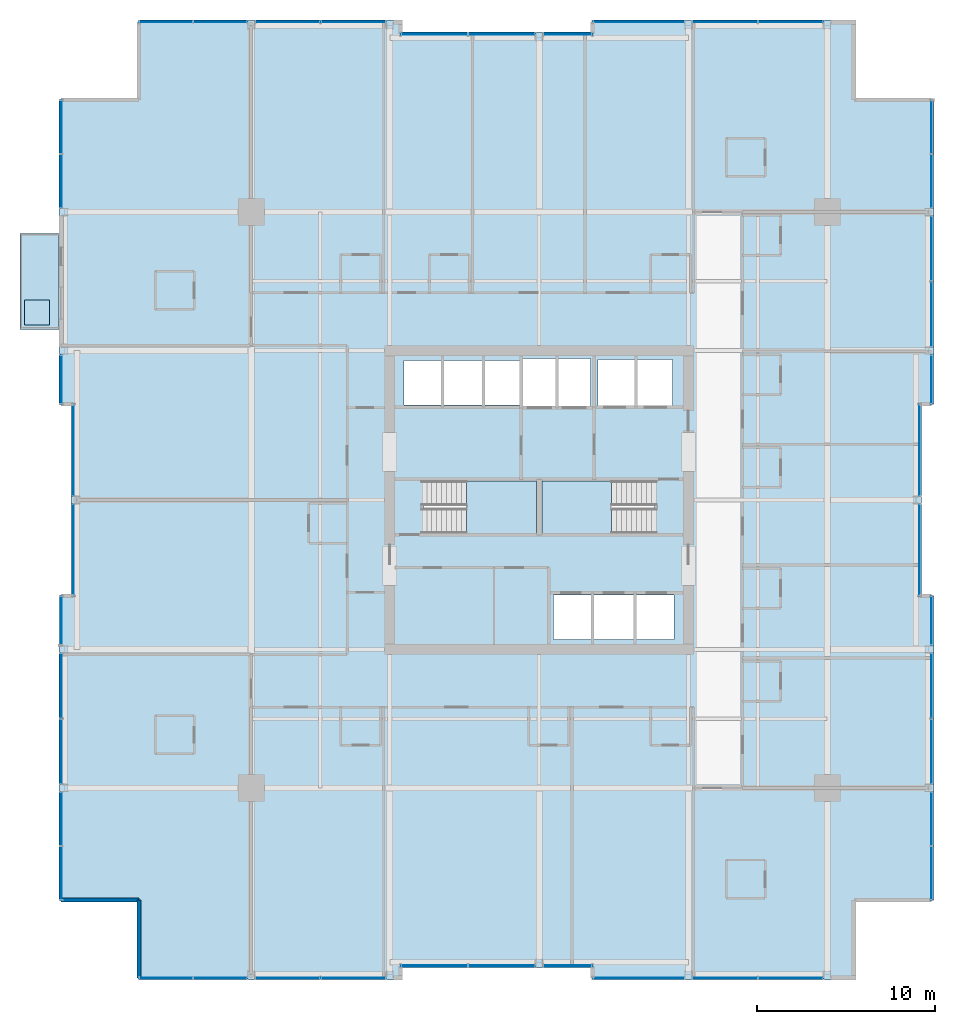
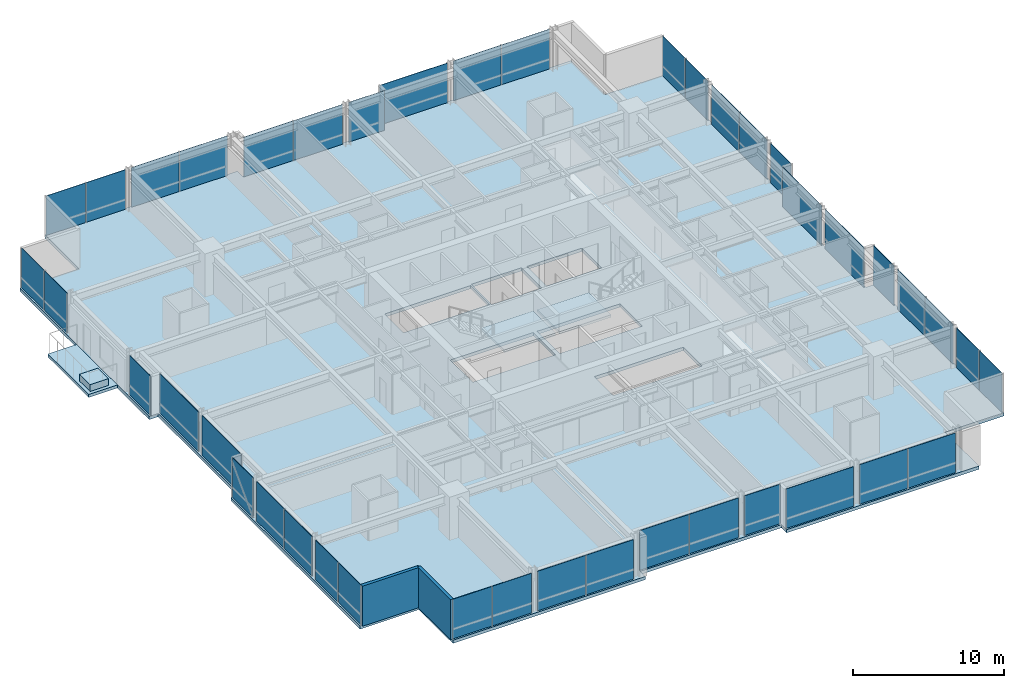
# One storey, part 27 of 34: 42 plates, 5 slabs, 2 walls, 29 elements without a shape of their own.
"""IFC4 building model written with IfcOpenShell, lengths in metres."""

from ifc_helpers import new_model, si_unit, direction, frame, frame_2d, origin, origin_2d, place, context, subcontext, project, spatial, polyline, rectangle, outline, extrude, material, layer, layer_set, type_object, element, aggregate, save


model = new_model("IFC4")

# Units and contexts
model_context = context("Model", 3, precision=1e-05, world=origin(), true_north=direction((0.0, 1.0)))
body_context = subcontext(model_context, "Body", "Model", "MODEL_VIEW")
ifc_project = project(units=[si_unit("LENGTHUNIT", "METRE"), si_unit("AREAUNIT", "SQUARE_METRE"), si_unit("VOLUMEUNIT", "CUBIC_METRE"), si_unit("PLANEANGLEUNIT", "RADIAN"), si_unit("MASSUNIT", "GRAM", prefix="KILO")], contexts=[model_context])

# Site, building, storey
site_placement = place(None, origin())
site = spatial("IfcSite", under=ifc_project, at=site_placement, CompositionType="ELEMENT")
building_placement = place(site_placement, origin())
building = spatial("IfcBuilding", under=site, at=building_placement, Name="Drelvath Grand Hotel", CompositionType="ELEMENT")
storey_placement = place(building_placement, frame((0.0, 0.0, 126.800048828125)))
storey = spatial("IfcBuildingStorey", under=building, at=storey_placement, Name="L32", CompositionType="ELEMENT", Elevation=126.800048828125)

# Slabs
ifc_material_1 = material(Name="Concrete f'c 40 MPa", Category="concrete")
ifc_layer_1 = layer(ifc_material_1, 0.239990234375)
ifc_layer_set_1 = layer_set([ifc_layer_1], Name="Concrete f'c 40 MPa")
slab_type_1 = type_object("IfcSlabType", Name="Cantilevered Tree Balcony Slab 240", PredefinedType="FLOOR", material=ifc_layer_set_1)
slab_1_placement = place(storey_placement, frame((0.0, 0.0, -0.239990234375)))
element("IfcSlab", 1, at=slab_1_placement, inside=storey, type_object=slab_type_1, Name="L32 Cantilevered Tree Balcony Slab 1", PredefinedType="FLOOR", context=body_context, shape_type="SweptSolid", body=[
    extrude(outline(polyline([(-29.199951171875, 36.60009765625), (-27.0, 36.60009765625), (-27.0, 42.0), (-29.199951171875, 42.0), (-29.199951171875, 36.60009765625)])), origin(), (0.0, 0.0, 1.0), 0.239990234375),
])
ifc_layer_2 = layer(ifc_material_1, 0.260009765625)
ifc_layer_set_2 = layer_set([ifc_layer_2], Name="Concrete f'c 40 MPa")
slab_type_2 = type_object("IfcSlabType", Name="Composite RC Floor Slab 260", PredefinedType="FLOOR", material=ifc_layer_set_2)
slab_2_placement = place(storey_placement, frame((0.0, 0.0, -0.260009765625)))
element("IfcSlab", 2, at=slab_2_placement, inside=storey, type_object=slab_type_2, Name="L32 Structural Floor Slab", PredefinedType="FLOOR", context=body_context, shape_type="SweptSolid", body=[
    extrude(outline(polyline([(-22.5, 0.0), (-7.800048828125, 0.0), (-7.800048828125, 0.679931640625), (3.0, 0.679931640625), (3.0, 0.0), (17.699951171875, 0.0), (17.699951171875, 4.5), (22.199951171875, 4.5), (22.199951171875, 21.60009765625), (21.52001953125, 21.60009765625), (21.52001953125, 32.39990234375), (22.199951171875, 32.39990234375), (22.199951171875, 49.5), (17.699951171875, 49.5), (17.699951171875, 54.0), (3.0, 54.0), (3.0, 53.320068359375), (-7.800048828125, 53.320068359375), (-7.800048828125, 54.0), (-22.5, 54.0), (-22.5, 49.5), (-27.0, 49.5), (-27.0, 32.39990234375), (-26.320068359375, 32.39990234375), (-26.320068359375, 21.60009765625), (-27.0, 21.60009765625), (-27.0, 4.5), (-22.5, 4.5), (-22.5, 0.0)]), holes=[polyline([(-6.47998046875, 25.1201171875), (-6.47998046875, 28.080078125), (-0.14990234375, 28.080078125), (-0.14990234375, 25.1201171875), (-6.47998046875, 25.1201171875)]), polyline([(0.14990234375, 25.1201171875), (0.14990234375, 28.080078125), (6.47998046875, 28.080078125), (6.47998046875, 25.1201171875), (0.14990234375, 25.1201171875)]), polyline([(0.800048828125, 19.14990234375), (0.800048828125, 21.64990234375), (7.60009765625, 21.64990234375), (7.60009765625, 19.14990234375), (0.800048828125, 19.14990234375)]), polyline([(-7.60009765625, 32.35009765625), (-7.60009765625, 34.85009765625), (-1.02001953125, 34.85009765625), (-1.02001953125, 32.35009765625), (-7.60009765625, 32.35009765625)]), polyline([(-0.89990234375, 32.25), (-0.89990234375, 34.949951171875), (2.89990234375, 34.949951171875), (2.89990234375, 32.25), (-0.89990234375, 32.25)]), polyline([(3.300048828125, 32.300048828125), (3.300048828125, 34.89990234375), (7.5, 34.89990234375), (7.5, 32.300048828125), (3.300048828125, 32.300048828125)])]), origin(), (0.0, 0.0, 1.0), 0.260009765625),
])

# Stair, slab
ifc_material_2 = material(Name="Concrete C40/50", Category="concrete")
stair_type = type_object("IfcStairType", Name="Dogleg Exit Stair W1400-R175.0", PredefinedType="HALF_TURN_STAIR", material=ifc_material_2)
stair_1_placement = place(storey_placement, origin())
stair_1 = element("IfcStair", 3, at=stair_1_placement, inside=storey, type_object=stair_type, Name="L32 Core Exit Stair ST-1", PredefinedType="HALF_TURN_STAIR")
ifc_layer_3 = layer(ifc_material_2, 0.199951171875)
ifc_layer_set_3 = layer_set([ifc_layer_3], Name="Concrete C40/50")
slab_type_3 = type_object("IfcSlabType", Name="Concrete Stair Landing Slab 200", PredefinedType="LANDING", material=ifc_layer_set_3)
slab_3_placement = place(storey_placement, frame((0.0, 0.0, 1.550048828125)))
slab_3 = element("IfcSlab", 4, at=slab_3_placement, type_object=slab_type_3, Name="ST-1 landing 1", PredefinedType="LANDING", context=body_context, shape_type="SweptSolid", body=[
    extrude(outline(polyline([(-4.080078125, 25.1201171875), (-0.14990234375, 25.1201171875), (-0.14990234375, 28.080078125), (-4.080078125, 28.080078125), (-4.080078125, 25.1201171875)])), origin(), (0.0, 0.0, 1.0), 0.199951171875),
])
aggregate(stair_1, [slab_3])

stair_2_placement = place(storey_placement, origin())
stair_2 = element("IfcStair", 5, at=stair_2_placement, inside=storey, type_object=stair_type, Name="L32 Core Exit Stair ST-2", PredefinedType="HALF_TURN_STAIR")
slab_4_placement = place(storey_placement, frame((0.0, 0.0, 1.550048828125)))
slab_4 = element("IfcSlab", 6, at=slab_4_placement, type_object=slab_type_3, Name="ST-2 landing 1", PredefinedType="LANDING", context=body_context, shape_type="SweptSolid", body=[
    extrude(outline(polyline([(4.080078125, 28.080078125), (0.14990234375, 28.080078125), (0.14990234375, 25.1201171875), (4.080078125, 25.1201171875), (4.080078125, 28.080078125)])), origin(), (0.0, 0.0, 1.0), 0.199951171875),
])
aggregate(stair_2, [slab_4])

# Curtain wall, plates
ifc_material_3 = material(Name="Champagne Bronze Anodised Aluminium Frame", Category="aluminium")
ifc_layer_4 = layer(ifc_material_3, 0.199951171875)
ifc_layer_set_4 = layer_set([ifc_layer_4], Name="Champagne Bronze Anodised Aluminium Frame")
curtain_wall_type = type_object("IfcCurtainWallType", Name="Stick Curtain Wall CW-03 Champagne Bronze Mid-Rise", PredefinedType="NOTDEFINED", material=ifc_layer_set_4)
curtain_wall_1_placement = place(storey_placement, origin())
curtain_wall_1 = element("IfcCurtainWall", 7, at=curtain_wall_1_placement, inside=storey, type_object=curtain_wall_type, Name="L32 CW-03 Curtain Wall CW03-L32-WS1", PredefinedType="NOTDEFINED")
ifc_material_4 = material(Name="Low-E Triple Silver Vision Glass Neutral", Category="glass")
ifc_layer_5 = layer(ifc_material_4, 0.035888671875)
ifc_layer_set_5 = layer_set([ifc_layer_5], Name="Low-E Triple Silver Vision Glass Neutral")
plate_type = type_object("IfcPlateType", Name="Curtain Wall Vision Panel CW-03 36mm", PredefinedType="CURTAIN_PANEL", material=ifc_layer_set_5)
plate_1_placement = place(storey_placement, frame((-26.8798828125, 6.022705078125, 0.02001953125), z_axis=(0.0, 0.0, 1.0), x_axis=(0.0, 1.0, 0.0)))
plate_1 = element("IfcPlate", 8, at=plate_1_placement, type_object=plate_type, Name="CW03-L32-WS1 Glazed Panel 1", PredefinedType="CURTAIN_PANEL", context=body_context, shape_type="SweptSolid", body=[
    extrude(rectangle(XDim=3.00537109375, YDim=0.035888671875, at=origin_2d()), origin(), (0.0, 0.0, 1.0), 3.199951171875),
])
plate_2_placement = place(storey_placement, frame((-26.8798828125, 9.06787109375, 0.02001953125), z_axis=(0.0, 0.0, 1.0), x_axis=(0.0, 1.0, 0.0)))
plate_2 = element("IfcPlate", 9, at=plate_2_placement, type_object=plate_type, Name="CW03-L32-WS1 Glazed Panel 2", PredefinedType="CURTAIN_PANEL", context=body_context, shape_type="SweptSolid", body=[
    extrude(rectangle(XDim=3.00537109375, YDim=0.035888671875, at=origin_2d()), origin(), (0.0, 0.0, 1.0), 3.199951171875),
])
aggregate(curtain_wall_1, [plate_1, plate_2])

curtain_wall_2_placement = place(storey_placement, origin())
curtain_wall_2 = element("IfcCurtainWall", 10, at=curtain_wall_2_placement, inside=storey, type_object=curtain_wall_type, Name="L32 CW-03 Curtain Wall CW03-L32-WS2", PredefinedType="NOTDEFINED")
plate_3_placement = place(storey_placement, frame((-26.8798828125, 12.854736328125, 0.02001953125), z_axis=(0.0, 0.0, 1.0), x_axis=(0.0, 1.0, 0.0)))
plate_3 = element("IfcPlate", 11, at=plate_3_placement, type_object=plate_type, Name="CW03-L32-WS2 Glazed Panel 1", PredefinedType="CURTAIN_PANEL", context=body_context, shape_type="SweptSolid", body=[
    extrude(rectangle(XDim=3.650634765625, YDim=0.035888671875, at=origin_2d()), origin(), (0.0, 0.0, 1.0), 3.199951171875),
])
plate_4_placement = place(storey_placement, frame((-26.8798828125, 16.54541015625, 0.02001953125), z_axis=(0.0, 0.0, 1.0), x_axis=(0.0, 1.0, 0.0)))
plate_4 = element("IfcPlate", 12, at=plate_4_placement, type_object=plate_type, Name="CW03-L32-WS2 Glazed Panel 2", PredefinedType="CURTAIN_PANEL", context=body_context, shape_type="SweptSolid", body=[
    extrude(rectangle(XDim=3.650634765625, YDim=0.035888671875, at=origin_2d()), origin(), (0.0, 0.0, 1.0), 3.199951171875),
])
aggregate(curtain_wall_2, [plate_3, plate_4])

# Curtain wall, plate
curtain_wall_3_placement = place(storey_placement, origin())
curtain_wall_3 = element("IfcCurtainWall", 13, at=curtain_wall_3_placement, inside=storey, type_object=curtain_wall_type, Name="L32 CW-03 Curtain Wall CW03-L32-WS3", PredefinedType="NOTDEFINED")
plate_5_placement = place(storey_placement, frame((-26.8798828125, 20.20458984375, 0.02001953125), z_axis=(0.0, 0.0, 1.0), x_axis=(0.0, 1.0, 0.0)))
plate_5 = element("IfcPlate", 14, at=plate_5_placement, type_object=plate_type, Name="CW03-L32-WS3 Glazed Panel 1", PredefinedType="CURTAIN_PANEL", context=body_context, shape_type="SweptSolid", body=[
    extrude(rectangle(XDim=2.75048828125, YDim=0.035888671875, at=origin_2d()), origin(), (0.0, 0.0, 1.0), 3.199951171875),
])
aggregate(curtain_wall_3, [plate_5])

curtain_wall_4_placement = place(storey_placement, origin())
curtain_wall_4 = element("IfcCurtainWall", 15, at=curtain_wall_4_placement, inside=storey, type_object=curtain_wall_type, Name="L32 CW-03 Curtain Wall CW03-L32-WM1", PredefinedType="NOTDEFINED")
plate_6_placement = place(storey_placement, frame((-26.199951171875, 24.1953125, 0.02001953125), z_axis=(0.0, 0.0, 1.0), x_axis=(0.0, 1.0, 0.0)))
plate_6 = element("IfcPlate", 16, at=plate_6_placement, type_object=plate_type, Name="CW03-L32-WM1 Glazed Panel 1", PredefinedType="CURTAIN_PANEL", context=body_context, shape_type="SweptSolid", body=[
    extrude(rectangle(XDim=5.150634765625, YDim=0.035888671875, at=origin_2d()), origin(), (0.0, 0.0, 1.0), 3.199951171875),
])
aggregate(curtain_wall_4, [plate_6])

curtain_wall_5_placement = place(storey_placement, origin())
curtain_wall_5 = element("IfcCurtainWall", 17, at=curtain_wall_5_placement, inside=storey, type_object=curtain_wall_type, Name="L32 CW-03 Curtain Wall CW03-L32-WM2", PredefinedType="NOTDEFINED")
plate_7_placement = place(storey_placement, frame((-26.199951171875, 29.8046875, 0.02001953125), z_axis=(0.0, 0.0, 1.0), x_axis=(0.0, 1.0, 0.0)))
plate_7 = element("IfcPlate", 18, at=plate_7_placement, type_object=plate_type, Name="CW03-L32-WM2 Glazed Panel 1", PredefinedType="CURTAIN_PANEL", context=body_context, shape_type="SweptSolid", body=[
    extrude(rectangle(XDim=5.150634765625, YDim=0.035888671875, at=origin_2d()), origin(), (0.0, 0.0, 1.0), 3.199951171875),
])
aggregate(curtain_wall_5, [plate_7])

curtain_wall_6_placement = place(storey_placement, origin())
curtain_wall_6 = element("IfcCurtainWall", 19, at=curtain_wall_6_placement, inside=storey, type_object=curtain_wall_type, Name="L32 CW-03 Curtain Wall CW03-L32-WN1", PredefinedType="NOTDEFINED")
plate_8_placement = place(storey_placement, frame((-26.8798828125, 33.79541015625, 0.02001953125), z_axis=(0.0, 0.0, 1.0), x_axis=(0.0, 1.0, 0.0)))
plate_8 = element("IfcPlate", 20, at=plate_8_placement, type_object=plate_type, Name="CW03-L32-WN1 Glazed Panel 1", PredefinedType="CURTAIN_PANEL", context=body_context, shape_type="SweptSolid", body=[
    extrude(rectangle(XDim=2.75048828125, YDim=0.035888671875, at=origin_2d()), origin(), (0.0, 0.0, 1.0), 3.199951171875),
])
aggregate(curtain_wall_6, [plate_8])

# Curtain wall, plates
curtain_wall_7_placement = place(storey_placement, origin())
curtain_wall_7 = element("IfcCurtainWall", 21, at=curtain_wall_7_placement, inside=storey, type_object=curtain_wall_type, Name="L32 CW-03 Curtain Wall CW03-L32-WN3", PredefinedType="NOTDEFINED")
plate_9_placement = place(storey_placement, frame((-26.8798828125, 44.93212890625, 0.02001953125), z_axis=(0.0, 0.0, 1.0), x_axis=(0.0, 1.0, 0.0)))
plate_9 = element("IfcPlate", 22, at=plate_9_placement, type_object=plate_type, Name="CW03-L32-WN3 Glazed Panel 1", PredefinedType="CURTAIN_PANEL", context=body_context, shape_type="SweptSolid", body=[
    extrude(rectangle(XDim=3.00537109375, YDim=0.035888671875, at=origin_2d()), origin(), (0.0, 0.0, 1.0), 3.199951171875),
])
plate_10_placement = place(storey_placement, frame((-26.8798828125, 47.977294921875, 0.02001953125), z_axis=(0.0, 0.0, 1.0), x_axis=(0.0, 1.0, 0.0)))
plate_10 = element("IfcPlate", 23, at=plate_10_placement, type_object=plate_type, Name="CW03-L32-WN3 Glazed Panel 2", PredefinedType="CURTAIN_PANEL", context=body_context, shape_type="SweptSolid", body=[
    extrude(rectangle(XDim=3.00537109375, YDim=0.035888671875, at=origin_2d()), origin(), (0.0, 0.0, 1.0), 3.199951171875),
])
aggregate(curtain_wall_7, [plate_9, plate_10])

# Curtain wall, plate
curtain_wall_8_placement = place(storey_placement, origin())
curtain_wall_8 = element("IfcCurtainWall", 24, at=curtain_wall_8_placement, inside=storey, type_object=curtain_wall_type, Name="L32 CW-03 Curtain Wall CW03-L32-EN1", PredefinedType="NOTDEFINED")
plate_11_placement = place(storey_placement, frame((22.080078125, 33.79541015625, 0.02001953125), z_axis=(0.0, 0.0, 1.0), x_axis=(0.0, -1.0, 0.0)))
plate_11 = element("IfcPlate", 25, at=plate_11_placement, type_object=plate_type, Name="CW03-L32-EN1 Glazed Panel 1", PredefinedType="CURTAIN_PANEL", context=body_context, shape_type="SweptSolid", body=[
    extrude(rectangle(XDim=2.75048828125, YDim=0.035888671875, at=origin_2d()), origin(), (0.0, 0.0, 1.0), 3.199951171875),
])
aggregate(curtain_wall_8, [plate_11])

# Curtain wall, plates
curtain_wall_9_placement = place(storey_placement, origin())
curtain_wall_9 = element("IfcCurtainWall", 26, at=curtain_wall_9_placement, inside=storey, type_object=curtain_wall_type, Name="L32 CW-03 Curtain Wall CW03-L32-EN2", PredefinedType="NOTDEFINED")
plate_12_placement = place(storey_placement, frame((22.080078125, 41.145263671875, 0.02001953125), z_axis=(0.0, 0.0, 1.0), x_axis=(0.0, -1.0, 0.0)))
plate_12 = element("IfcPlate", 27, at=plate_12_placement, type_object=plate_type, Name="CW03-L32-EN2 Glazed Panel 1", PredefinedType="CURTAIN_PANEL", context=body_context, shape_type="SweptSolid", body=[
    extrude(rectangle(XDim=3.650634765625, YDim=0.035888671875, at=origin_2d()), origin(), (0.0, 0.0, 1.0), 3.199951171875),
])
plate_13_placement = place(storey_placement, frame((22.080078125, 37.45458984375, 0.02001953125), z_axis=(0.0, 0.0, 1.0), x_axis=(0.0, -1.0, 0.0)))
plate_13 = element("IfcPlate", 28, at=plate_13_placement, type_object=plate_type, Name="CW03-L32-EN2 Glazed Panel 2", PredefinedType="CURTAIN_PANEL", context=body_context, shape_type="SweptSolid", body=[
    extrude(rectangle(XDim=3.650634765625, YDim=0.035888671875, at=origin_2d()), origin(), (0.0, 0.0, 1.0), 3.199951171875),
])
aggregate(curtain_wall_9, [plate_12, plate_13])

curtain_wall_10_placement = place(storey_placement, origin())
curtain_wall_10 = element("IfcCurtainWall", 29, at=curtain_wall_10_placement, inside=storey, type_object=curtain_wall_type, Name="L32 CW-03 Curtain Wall CW03-L32-EN3", PredefinedType="NOTDEFINED")
plate_14_placement = place(storey_placement, frame((22.080078125, 47.977294921875, 0.02001953125), z_axis=(0.0, 0.0, 1.0), x_axis=(0.0, -1.0, 0.0)))
plate_14 = element("IfcPlate", 30, at=plate_14_placement, type_object=plate_type, Name="CW03-L32-EN3 Glazed Panel 1", PredefinedType="CURTAIN_PANEL", context=body_context, shape_type="SweptSolid", body=[
    extrude(rectangle(XDim=3.00537109375, YDim=0.035888671875, at=origin_2d()), origin(), (0.0, 0.0, 1.0), 3.199951171875),
])
plate_15_placement = place(storey_placement, frame((22.080078125, 44.93212890625, 0.02001953125), z_axis=(0.0, 0.0, 1.0), x_axis=(0.0, -1.0, 0.0)))
plate_15 = element("IfcPlate", 31, at=plate_15_placement, type_object=plate_type, Name="CW03-L32-EN3 Glazed Panel 2", PredefinedType="CURTAIN_PANEL", context=body_context, shape_type="SweptSolid", body=[
    extrude(rectangle(XDim=3.00537109375, YDim=0.035888671875, at=origin_2d()), origin(), (0.0, 0.0, 1.0), 3.199951171875),
])
aggregate(curtain_wall_10, [plate_14, plate_15])

# Curtain wall, plate
curtain_wall_11_placement = place(storey_placement, origin())
curtain_wall_11 = element("IfcCurtainWall", 32, at=curtain_wall_11_placement, inside=storey, type_object=curtain_wall_type, Name="L32 CW-03 Curtain Wall CW03-L32-EM1", PredefinedType="NOTDEFINED")
plate_16_placement = place(storey_placement, frame((21.39990234375, 24.1953125, 0.02001953125), z_axis=(0.0, 0.0, 1.0), x_axis=(0.0, -1.0, 0.0)))
plate_16 = element("IfcPlate", 33, at=plate_16_placement, type_object=plate_type, Name="CW03-L32-EM1 Glazed Panel 1", PredefinedType="CURTAIN_PANEL", context=body_context, shape_type="SweptSolid", body=[
    extrude(rectangle(XDim=5.150634765625, YDim=0.035888671875, at=origin_2d()), origin(), (0.0, 0.0, 1.0), 3.199951171875),
])
aggregate(curtain_wall_11, [plate_16])

curtain_wall_12_placement = place(storey_placement, origin())
curtain_wall_12 = element("IfcCurtainWall", 34, at=curtain_wall_12_placement, inside=storey, type_object=curtain_wall_type, Name="L32 CW-03 Curtain Wall CW03-L32-EM2", PredefinedType="NOTDEFINED")
plate_17_placement = place(storey_placement, frame((21.39990234375, 29.8046875, 0.02001953125), z_axis=(0.0, 0.0, 1.0), x_axis=(0.0, -1.0, 0.0)))
plate_17 = element("IfcPlate", 35, at=plate_17_placement, type_object=plate_type, Name="CW03-L32-EM2 Glazed Panel 1", PredefinedType="CURTAIN_PANEL", context=body_context, shape_type="SweptSolid", body=[
    extrude(rectangle(XDim=5.150634765625, YDim=0.035888671875, at=origin_2d()), origin(), (0.0, 0.0, 1.0), 3.199951171875),
])
aggregate(curtain_wall_12, [plate_17])

# Curtain wall, plates
curtain_wall_13_placement = place(storey_placement, origin())
curtain_wall_13 = element("IfcCurtainWall", 36, at=curtain_wall_13_placement, inside=storey, type_object=curtain_wall_type, Name="L32 CW-03 Curtain Wall CW03-L32-ES1", PredefinedType="NOTDEFINED")
plate_18_placement = place(storey_placement, frame((22.080078125, 9.06787109375, 0.02001953125), z_axis=(0.0, 0.0, 1.0), x_axis=(0.0, -1.0, 0.0)))
plate_18 = element("IfcPlate", 37, at=plate_18_placement, type_object=plate_type, Name="CW03-L32-ES1 Glazed Panel 1", PredefinedType="CURTAIN_PANEL", context=body_context, shape_type="SweptSolid", body=[
    extrude(rectangle(XDim=3.00537109375, YDim=0.035888671875, at=origin_2d()), origin(), (0.0, 0.0, 1.0), 3.199951171875),
])
plate_19_placement = place(storey_placement, frame((22.080078125, 6.022705078125, 0.02001953125), z_axis=(0.0, 0.0, 1.0), x_axis=(0.0, -1.0, 0.0)))
plate_19 = element("IfcPlate", 38, at=plate_19_placement, type_object=plate_type, Name="CW03-L32-ES1 Glazed Panel 2", PredefinedType="CURTAIN_PANEL", context=body_context, shape_type="SweptSolid", body=[
    extrude(rectangle(XDim=3.00537109375, YDim=0.035888671875, at=origin_2d()), origin(), (0.0, 0.0, 1.0), 3.199951171875),
])
aggregate(curtain_wall_13, [plate_18, plate_19])

curtain_wall_14_placement = place(storey_placement, origin())
curtain_wall_14 = element("IfcCurtainWall", 39, at=curtain_wall_14_placement, inside=storey, type_object=curtain_wall_type, Name="L32 CW-03 Curtain Wall CW03-L32-ES2", PredefinedType="NOTDEFINED")
plate_20_placement = place(storey_placement, frame((22.080078125, 16.54541015625, 0.02001953125), z_axis=(0.0, 0.0, 1.0), x_axis=(0.0, -1.0, 0.0)))
plate_20 = element("IfcPlate", 40, at=plate_20_placement, type_object=plate_type, Name="CW03-L32-ES2 Glazed Panel 1", PredefinedType="CURTAIN_PANEL", context=body_context, shape_type="SweptSolid", body=[
    extrude(rectangle(XDim=3.650634765625, YDim=0.035888671875, at=origin_2d()), origin(), (0.0, 0.0, 1.0), 3.199951171875),
])
plate_21_placement = place(storey_placement, frame((22.080078125, 12.854736328125, 0.02001953125), z_axis=(0.0, 0.0, 1.0), x_axis=(0.0, -1.0, 0.0)))
plate_21 = element("IfcPlate", 41, at=plate_21_placement, type_object=plate_type, Name="CW03-L32-ES2 Glazed Panel 2", PredefinedType="CURTAIN_PANEL", context=body_context, shape_type="SweptSolid", body=[
    extrude(rectangle(XDim=3.650634765625, YDim=0.035888671875, at=origin_2d()), origin(), (0.0, 0.0, 1.0), 3.199951171875),
])
aggregate(curtain_wall_14, [plate_20, plate_21])

# Curtain wall, plate
curtain_wall_15_placement = place(storey_placement, origin())
curtain_wall_15 = element("IfcCurtainWall", 42, at=curtain_wall_15_placement, inside=storey, type_object=curtain_wall_type, Name="L32 CW-03 Curtain Wall CW03-L32-ES3", PredefinedType="NOTDEFINED")
plate_22_placement = place(storey_placement, frame((22.080078125, 20.20458984375, 0.02001953125), z_axis=(0.0, 0.0, 1.0), x_axis=(0.0, -1.0, 0.0)))
plate_22 = element("IfcPlate", 43, at=plate_22_placement, type_object=plate_type, Name="CW03-L32-ES3 Glazed Panel 1", PredefinedType="CURTAIN_PANEL", context=body_context, shape_type="SweptSolid", body=[
    extrude(rectangle(XDim=2.75048828125, YDim=0.035888671875, at=origin_2d()), origin(), (0.0, 0.0, 1.0), 3.199951171875),
])
aggregate(curtain_wall_15, [plate_22])

# Curtain wall, plates
curtain_wall_16_placement = place(storey_placement, origin())
curtain_wall_16 = element("IfcCurtainWall", 44, at=curtain_wall_16_placement, inside=storey, type_object=curtain_wall_type, Name="L32 CW-03 Curtain Wall CW03-L32-NW1", PredefinedType="NOTDEFINED")
plate_23_placement = place(storey_placement, frame((-20.977294921875, 53.8798828125, 0.02001953125), z_axis=(0.0, 0.0, 1.0), x_axis=(1.0, 0.0, 0.0)))
plate_23 = element("IfcPlate", 45, at=plate_23_placement, type_object=plate_type, Name="CW03-L32-NW1 Glazed Panel 1", PredefinedType="CURTAIN_PANEL", context=body_context, shape_type="SweptSolid", body=[
    extrude(rectangle(XDim=3.00537109375, YDim=0.035888671875, at=origin_2d()), origin(), (0.0, 0.0, 1.0), 3.199951171875),
])
plate_24_placement = place(storey_placement, frame((-17.93212890625, 53.8798828125, 0.02001953125), z_axis=(0.0, 0.0, 1.0), x_axis=(1.0, 0.0, 0.0)))
plate_24 = element("IfcPlate", 46, at=plate_24_placement, type_object=plate_type, Name="CW03-L32-NW1 Glazed Panel 2", PredefinedType="CURTAIN_PANEL", context=body_context, shape_type="SweptSolid", body=[
    extrude(rectangle(XDim=3.00537109375, YDim=0.035888671875, at=origin_2d()), origin(), (0.0, 0.0, 1.0), 3.199951171875),
])
aggregate(curtain_wall_16, [plate_23, plate_24])

curtain_wall_17_placement = place(storey_placement, origin())
curtain_wall_17 = element("IfcCurtainWall", 47, at=curtain_wall_17_placement, inside=storey, type_object=curtain_wall_type, Name="L32 CW-03 Curtain Wall CW03-L32-NW2", PredefinedType="NOTDEFINED")
plate_25_placement = place(storey_placement, frame((-14.145263671875, 53.8798828125, 0.02001953125), z_axis=(0.0, 0.0, 1.0), x_axis=(1.0, 0.0, 0.0)))
plate_25 = element("IfcPlate", 48, at=plate_25_placement, type_object=plate_type, Name="CW03-L32-NW2 Glazed Panel 1", PredefinedType="CURTAIN_PANEL", context=body_context, shape_type="SweptSolid", body=[
    extrude(rectangle(XDim=3.650634765625, YDim=0.035888671875, at=origin_2d()), origin(), (0.0, 0.0, 1.0), 3.199951171875),
])
plate_26_placement = place(storey_placement, frame((-10.45458984375, 53.8798828125, 0.02001953125), z_axis=(0.0, 0.0, 1.0), x_axis=(1.0, 0.0, 0.0)))
plate_26 = element("IfcPlate", 49, at=plate_26_placement, type_object=plate_type, Name="CW03-L32-NW2 Glazed Panel 2", PredefinedType="CURTAIN_PANEL", context=body_context, shape_type="SweptSolid", body=[
    extrude(rectangle(XDim=3.650634765625, YDim=0.035888671875, at=origin_2d()), origin(), (0.0, 0.0, 1.0), 3.199951171875),
])
aggregate(curtain_wall_17, [plate_25, plate_26])

curtain_wall_18_placement = place(storey_placement, origin())
curtain_wall_18 = element("IfcCurtainWall", 50, at=curtain_wall_18_placement, inside=storey, type_object=curtain_wall_type, Name="L32 CW-03 Curtain Wall CW03-L32-NM1", PredefinedType="NOTDEFINED")
plate_27_placement = place(storey_placement, frame((-5.90234375, 53.199951171875, 0.02001953125), z_axis=(0.0, 0.0, 1.0), x_axis=(1.0, 0.0, 0.0)))
plate_27 = element("IfcPlate", 51, at=plate_27_placement, type_object=plate_type, Name="CW03-L32-NM1 Glazed Panel 1", PredefinedType="CURTAIN_PANEL", context=body_context, shape_type="SweptSolid", body=[
    extrude(rectangle(XDim=3.75537109375, YDim=0.035888671875, at=origin_2d()), origin(), (0.0, 0.0, 1.0), 3.199951171875),
])
plate_28_placement = place(storey_placement, frame((-2.107177734375, 53.199951171875, 0.02001953125), z_axis=(0.0, 0.0, 1.0), x_axis=(1.0, 0.0, 0.0)))
plate_28 = element("IfcPlate", 52, at=plate_28_placement, type_object=plate_type, Name="CW03-L32-NM1 Glazed Panel 2", PredefinedType="CURTAIN_PANEL", context=body_context, shape_type="SweptSolid", body=[
    extrude(rectangle(XDim=3.75537109375, YDim=0.035888671875, at=origin_2d()), origin(), (0.0, 0.0, 1.0), 3.199951171875),
])
aggregate(curtain_wall_18, [plate_27, plate_28])

# Curtain wall, plate
curtain_wall_19_placement = place(storey_placement, origin())
curtain_wall_19 = element("IfcCurtainWall", 53, at=curtain_wall_19_placement, inside=storey, type_object=curtain_wall_type, Name="L32 CW-03 Curtain Wall CW03-L32-NM2", PredefinedType="NOTDEFINED")
plate_29_placement = place(storey_placement, frame((1.604736328125, 53.199951171875, 0.02001953125), z_axis=(0.0, 0.0, 1.0), x_axis=(1.0, 0.0, 0.0)))
plate_29 = element("IfcPlate", 54, at=plate_29_placement, type_object=plate_type, Name="CW03-L32-NM2 Glazed Panel 1", PredefinedType="CURTAIN_PANEL", context=body_context, shape_type="SweptSolid", body=[
    extrude(rectangle(XDim=2.75048828125, YDim=0.035888671875, at=origin_2d()), origin(), (0.0, 0.0, 1.0), 3.199951171875),
])
aggregate(curtain_wall_19, [plate_29])

curtain_wall_20_placement = place(storey_placement, origin())
curtain_wall_20 = element("IfcCurtainWall", 55, at=curtain_wall_20_placement, inside=storey, type_object=curtain_wall_type, Name="L32 CW-03 Curtain Wall CW03-L32-NE1", PredefinedType="NOTDEFINED")
plate_30_placement = place(storey_placement, frame((5.59521484375, 53.8798828125, 0.02001953125), z_axis=(0.0, 0.0, 1.0), x_axis=(1.0, 0.0, 0.0)))
plate_30 = element("IfcPlate", 56, at=plate_30_placement, type_object=plate_type, Name="CW03-L32-NE1 Glazed Panel 1", PredefinedType="CURTAIN_PANEL", context=body_context, shape_type="SweptSolid", body=[
    extrude(rectangle(XDim=5.150634765625, YDim=0.035888671875, at=origin_2d()), origin(), (0.0, 0.0, 1.0), 3.199951171875),
])
aggregate(curtain_wall_20, [plate_30])

# Curtain wall, plates
curtain_wall_21_placement = place(storey_placement, origin())
curtain_wall_21 = element("IfcCurtainWall", 57, at=curtain_wall_21_placement, inside=storey, type_object=curtain_wall_type, Name="L32 CW-03 Curtain Wall CW03-L32-NE2", PredefinedType="NOTDEFINED")
plate_31_placement = place(storey_placement, frame((10.45458984375, 53.8798828125, 0.02001953125), z_axis=(0.0, 0.0, 1.0), x_axis=(1.0, 0.0, 0.0)))
plate_31 = element("IfcPlate", 58, at=plate_31_placement, type_object=plate_type, Name="CW03-L32-NE2 Glazed Panel 1", PredefinedType="CURTAIN_PANEL", context=body_context, shape_type="SweptSolid", body=[
    extrude(rectangle(XDim=3.650634765625, YDim=0.035888671875, at=origin_2d()), origin(), (0.0, 0.0, 1.0), 3.199951171875),
])
plate_32_placement = place(storey_placement, frame((14.145263671875, 53.8798828125, 0.02001953125), z_axis=(0.0, 0.0, 1.0), x_axis=(1.0, 0.0, 0.0)))
plate_32 = element("IfcPlate", 59, at=plate_32_placement, type_object=plate_type, Name="CW03-L32-NE2 Glazed Panel 2", PredefinedType="CURTAIN_PANEL", context=body_context, shape_type="SweptSolid", body=[
    extrude(rectangle(XDim=3.650634765625, YDim=0.035888671875, at=origin_2d()), origin(), (0.0, 0.0, 1.0), 3.199951171875),
])
aggregate(curtain_wall_21, [plate_31, plate_32])

# Curtain wall, plate
curtain_wall_22_placement = place(storey_placement, origin())
curtain_wall_22 = element("IfcCurtainWall", 60, at=curtain_wall_22_placement, inside=storey, type_object=curtain_wall_type, Name="L32 CW-03 Curtain Wall CW03-L32-SE1", PredefinedType="NOTDEFINED")
plate_33_placement = place(storey_placement, frame((5.59521484375, 0.1201171875, 0.02001953125), z_axis=(0.0, 0.0, 1.0), x_axis=(-1.0, 0.0, 0.0)))
plate_33 = element("IfcPlate", 61, at=plate_33_placement, type_object=plate_type, Name="CW03-L32-SE1 Glazed Panel 1", PredefinedType="CURTAIN_PANEL", context=body_context, shape_type="SweptSolid", body=[
    extrude(rectangle(XDim=5.150634765625, YDim=0.035888671875, at=origin_2d()), origin(), (0.0, 0.0, 1.0), 3.199951171875),
])
aggregate(curtain_wall_22, [plate_33])

# Curtain wall, plates
curtain_wall_23_placement = place(storey_placement, origin())
curtain_wall_23 = element("IfcCurtainWall", 62, at=curtain_wall_23_placement, inside=storey, type_object=curtain_wall_type, Name="L32 CW-03 Curtain Wall CW03-L32-SE2", PredefinedType="NOTDEFINED")
plate_34_placement = place(storey_placement, frame((14.145263671875, 0.1201171875, 0.02001953125), z_axis=(0.0, 0.0, 1.0), x_axis=(-1.0, 0.0, 0.0)))
plate_34 = element("IfcPlate", 63, at=plate_34_placement, type_object=plate_type, Name="CW03-L32-SE2 Glazed Panel 1", PredefinedType="CURTAIN_PANEL", context=body_context, shape_type="SweptSolid", body=[
    extrude(rectangle(XDim=3.650634765625, YDim=0.035888671875, at=origin_2d()), origin(), (0.0, 0.0, 1.0), 3.199951171875),
])
plate_35_placement = place(storey_placement, frame((10.45458984375, 0.1201171875, 0.02001953125), z_axis=(0.0, 0.0, 1.0), x_axis=(-1.0, 0.0, 0.0)))
plate_35 = element("IfcPlate", 64, at=plate_35_placement, type_object=plate_type, Name="CW03-L32-SE2 Glazed Panel 2", PredefinedType="CURTAIN_PANEL", context=body_context, shape_type="SweptSolid", body=[
    extrude(rectangle(XDim=3.650634765625, YDim=0.035888671875, at=origin_2d()), origin(), (0.0, 0.0, 1.0), 3.199951171875),
])
aggregate(curtain_wall_23, [plate_34, plate_35])

curtain_wall_24_placement = place(storey_placement, origin())
curtain_wall_24 = element("IfcCurtainWall", 65, at=curtain_wall_24_placement, inside=storey, type_object=curtain_wall_type, Name="L32 CW-03 Curtain Wall CW03-L32-SM1", PredefinedType="NOTDEFINED")
plate_36_placement = place(storey_placement, frame((-2.107177734375, 0.800048828125, 0.02001953125), z_axis=(0.0, 0.0, 1.0), x_axis=(-1.0, 0.0, 0.0)))
plate_36 = element("IfcPlate", 66, at=plate_36_placement, type_object=plate_type, Name="CW03-L32-SM1 Glazed Panel 1", PredefinedType="CURTAIN_PANEL", context=body_context, shape_type="SweptSolid", body=[
    extrude(rectangle(XDim=3.75537109375, YDim=0.035888671875, at=origin_2d()), origin(), (0.0, 0.0, 1.0), 3.199951171875),
])
plate_37_placement = place(storey_placement, frame((-5.90234375, 0.800048828125, 0.02001953125), z_axis=(0.0, 0.0, 1.0), x_axis=(-1.0, 0.0, 0.0)))
plate_37 = element("IfcPlate", 67, at=plate_37_placement, type_object=plate_type, Name="CW03-L32-SM1 Glazed Panel 2", PredefinedType="CURTAIN_PANEL", context=body_context, shape_type="SweptSolid", body=[
    extrude(rectangle(XDim=3.75537109375, YDim=0.035888671875, at=origin_2d()), origin(), (0.0, 0.0, 1.0), 3.199951171875),
])
aggregate(curtain_wall_24, [plate_36, plate_37])

# Curtain wall, plate
curtain_wall_25_placement = place(storey_placement, origin())
curtain_wall_25 = element("IfcCurtainWall", 68, at=curtain_wall_25_placement, inside=storey, type_object=curtain_wall_type, Name="L32 CW-03 Curtain Wall CW03-L32-SM2", PredefinedType="NOTDEFINED")
plate_38_placement = place(storey_placement, frame((1.604736328125, 0.800048828125, 0.02001953125), z_axis=(0.0, 0.0, 1.0), x_axis=(-1.0, 0.0, 0.0)))
plate_38 = element("IfcPlate", 69, at=plate_38_placement, type_object=plate_type, Name="CW03-L32-SM2 Glazed Panel 1", PredefinedType="CURTAIN_PANEL", context=body_context, shape_type="SweptSolid", body=[
    extrude(rectangle(XDim=2.75048828125, YDim=0.035888671875, at=origin_2d()), origin(), (0.0, 0.0, 1.0), 3.199951171875),
])
aggregate(curtain_wall_25, [plate_38])

# Curtain wall, plates
curtain_wall_26_placement = place(storey_placement, origin())
curtain_wall_26 = element("IfcCurtainWall", 70, at=curtain_wall_26_placement, inside=storey, type_object=curtain_wall_type, Name="L32 CW-03 Curtain Wall CW03-L32-SW1", PredefinedType="NOTDEFINED")
plate_39_placement = place(storey_placement, frame((-17.93212890625, 0.1201171875, 0.02001953125), z_axis=(0.0, 0.0, 1.0), x_axis=(-1.0, 0.0, 0.0)))
plate_39 = element("IfcPlate", 71, at=plate_39_placement, type_object=plate_type, Name="CW03-L32-SW1 Glazed Panel 1", PredefinedType="CURTAIN_PANEL", context=body_context, shape_type="SweptSolid", body=[
    extrude(rectangle(XDim=3.00537109375, YDim=0.035888671875, at=origin_2d()), origin(), (0.0, 0.0, 1.0), 3.199951171875),
])
plate_40_placement = place(storey_placement, frame((-20.977294921875, 0.1201171875, 0.02001953125), z_axis=(0.0, 0.0, 1.0), x_axis=(-1.0, 0.0, 0.0)))
plate_40 = element("IfcPlate", 72, at=plate_40_placement, type_object=plate_type, Name="CW03-L32-SW1 Glazed Panel 2", PredefinedType="CURTAIN_PANEL", context=body_context, shape_type="SweptSolid", body=[
    extrude(rectangle(XDim=3.00537109375, YDim=0.035888671875, at=origin_2d()), origin(), (0.0, 0.0, 1.0), 3.199951171875),
])
aggregate(curtain_wall_26, [plate_39, plate_40])

curtain_wall_27_placement = place(storey_placement, origin())
curtain_wall_27 = element("IfcCurtainWall", 73, at=curtain_wall_27_placement, inside=storey, type_object=curtain_wall_type, Name="L32 CW-03 Curtain Wall CW03-L32-SW2", PredefinedType="NOTDEFINED")
plate_41_placement = place(storey_placement, frame((-10.45458984375, 0.1201171875, 0.02001953125), z_axis=(0.0, 0.0, 1.0), x_axis=(-1.0, 0.0, 0.0)))
plate_41 = element("IfcPlate", 74, at=plate_41_placement, type_object=plate_type, Name="CW03-L32-SW2 Glazed Panel 1", PredefinedType="CURTAIN_PANEL", context=body_context, shape_type="SweptSolid", body=[
    extrude(rectangle(XDim=3.650634765625, YDim=0.035888671875, at=origin_2d()), origin(), (0.0, 0.0, 1.0), 3.199951171875),
])
plate_42_placement = place(storey_placement, frame((-14.145263671875, 0.1201171875, 0.02001953125), z_axis=(0.0, 0.0, 1.0), x_axis=(-1.0, 0.0, 0.0)))
plate_42 = element("IfcPlate", 75, at=plate_42_placement, type_object=plate_type, Name="CW03-L32-SW2 Glazed Panel 2", PredefinedType="CURTAIN_PANEL", context=body_context, shape_type="SweptSolid", body=[
    extrude(rectangle(XDim=3.650634765625, YDim=0.035888671875, at=origin_2d()), origin(), (0.0, 0.0, 1.0), 3.199951171875),
])
aggregate(curtain_wall_27, [plate_41, plate_42])

# Slab
ifc_layer_6 = layer(ifc_material_1, 0.550048828125)
ifc_layer_set_6 = layer_set([ifc_layer_6], Name="Concrete f'c 40 MPa")
slab_type_4 = type_object("IfcSlabType", Name="Structural Tree Planter Box 550", PredefinedType="USERDEFINED", material=ifc_layer_set_6)
slab_5_placement = place(storey_placement, origin())
element("IfcSlab", 76, at=slab_5_placement, inside=storey, type_object=slab_type_4, Name="L32 Tree Balcony Structural Planter 1", ObjectType="PLANTER", PredefinedType="USERDEFINED", context=body_context, shape_type="SweptSolid", body=[
    extrude(outline(polyline([(-28.949951171875, 36.85009765625), (-27.550048828125, 36.85009765625), (-27.550048828125, 38.25), (-28.949951171875, 38.25), (-28.949951171875, 36.85009765625)])), origin(), (0.0, 0.0, 1.0), 0.550048828125),
])

# Walls
ifc_material_5 = material(Name="Pale-Metal Insulated Aluminium Spandrel Assembly", Category="aluminium")
ifc_layer_7 = layer(ifc_material_5, 0.239990234375)
ifc_layer_set_7 = layer_set([ifc_layer_7], Name="Pale-Metal Insulated Aluminium Spandrel Assembly")
wall_type = type_object("IfcWallType", Name="Tower Insulated Metal Spandrel Closure Wall 240", PredefinedType="STANDARD", material=ifc_layer_set_7)
for number, where, z_axis, x_axis, name in (
    (77, (-22.5, 0.1201171875, 0.0), (0.0, 0.0, 1.0), (0.0, 1.0, 0.0), "L32 Notched Corner Return Spandrel Wall CSW1"),
    (78, (-22.5, 4.5, 0.0), (0.0, 0.0, 1.0), (-1.0, 0.0, 0.0), "L32 Notched Corner Return Spandrel Wall CSW2"),
):
    element("IfcWall", number, at=place(storey_placement, frame(where, z_axis=z_axis, x_axis=x_axis)), inside=storey, type_object=wall_type, Name=name, PredefinedType="STANDARD", context=body_context, shape_type="SweptSolid", body=[
        extrude(rectangle(XDim=4.3798828125, YDim=0.239990234375, at=frame_2d((2.18994140625, 0.0))), origin(), (0.0, 0.0, 1.0), 3.239990234375),
    ])

save(model, "model.ifc")
